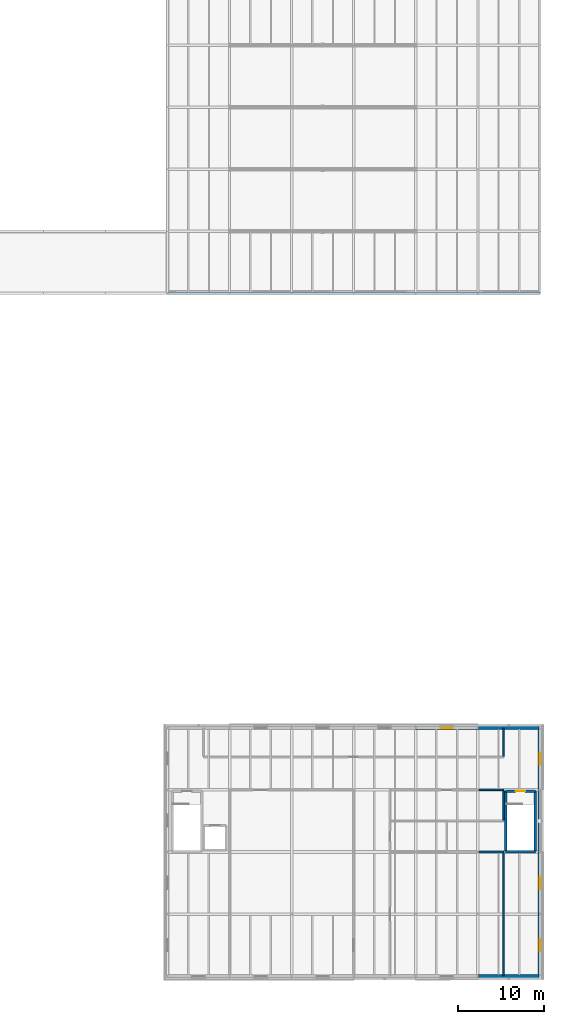
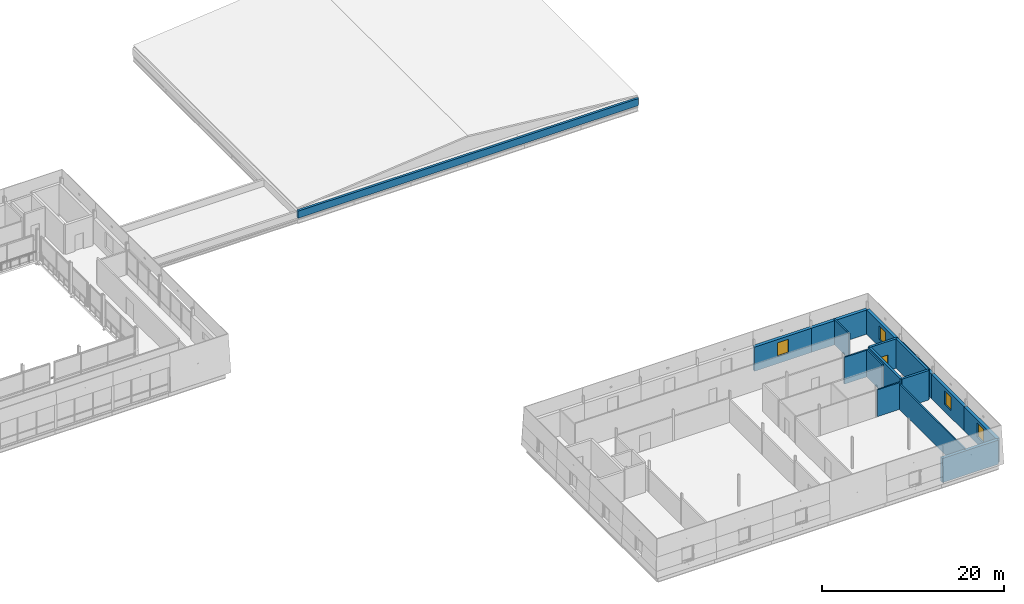
# One storey, part 66 of 91: 17 walls, 4 windows, 1 door, 5 openings.
"""IFC4 building model written with IfcOpenShell, lengths in metres."""

from ifc_helpers import new_model, si_unit, direction, frame, frame_2d, origin, place, context, subcontext, project, spatial, rectangle, extrude, material, layer, layer_set, type_object, element, fill, save


model = new_model("IFC4")

# Units and contexts
model_context = context("Model", 3, precision=1e-05, world=origin(), true_north=direction((0.0, 1.0)))
body_context = subcontext(model_context, "Body", "Model", "MODEL_VIEW")
ifc_project = project(units=[si_unit("LENGTHUNIT", "METRE"), si_unit("AREAUNIT", "SQUARE_METRE"), si_unit("VOLUMEUNIT", "CUBIC_METRE"), si_unit("PLANEANGLEUNIT", "RADIAN"), si_unit("MASSUNIT", "GRAM", prefix="KILO")], contexts=[model_context])

# Site, building, storey
site_placement = place(None, origin())
site = spatial("IfcSite", under=ifc_project, at=site_placement, CompositionType="ELEMENT")
building_placement = place(site_placement, origin())
building = spatial("IfcBuilding", under=site, at=building_placement, Name="Narikvali Park Central Library", CompositionType="ELEMENT")
storey_placement = place(building_placement, frame((0.0, 0.0, 14.39990234375)))
storey = spatial("IfcBuildingStorey", under=building, at=storey_placement, Name="L03", CompositionType="ELEMENT", Elevation=14.39990234375)

# Walls
ifc_material_1 = material(Name="White Honed Limestone over Concrete C35/45", Category="masonry")
ifc_layer_1 = layer(ifc_material_1, 0.300048828125, Name="White Honed Limestone over Concrete C35/45")
ifc_layer_set_1 = layer_set([ifc_layer_1], Name="White Honed Limestone over Concrete C35/45")
wall_type_1 = type_object("IfcWallType", Name="Limestone Coping Parapet Wall 300", PredefinedType="PARAPET", material=ifc_layer_set_1)
wall_1_placement = place(storey_placement, frame((122.39990234375, 79.199951171875, 0.0), z_axis=(0.0, 0.0, 1.0), x_axis=(1.0, 0.0, 0.0)))
element("IfcWall", 1, at=wall_1_placement, inside=storey, type_object=wall_type_1, Name="V3 L03 Roof Limestone Parapet S", PredefinedType="PARAPET", context=body_context, shape_type="SweptSolid", body=[
    extrude(rectangle(XDim=43.2001953125, YDim=0.300048828125, at=frame_2d((21.60009765625, 0.0))), origin(), (0.0, 0.0, 1.0), 0.9501953125),
])
ifc_material_2 = material(Name="Acoustic Gypsum on Steel Studs", Category="steel")
ifc_layer_2 = layer(ifc_material_2, 0.179931640625, Name="Acoustic Gypsum on Steel Studs")
ifc_layer_set_2 = layer_set([ifc_layer_2], Name="Acoustic Gypsum on Steel Studs")
wall_type_2 = type_object("IfcWallType", Name="Reading Room Acoustic Partition 180", PredefinedType="PARTITIONING", material=ifc_layer_set_2)
for number, where, z_axis, x_axis, name in (
    (2, (158.50390625, 14.39990234375, 0.0), (0.0, 0.0, 1.0), (1.0, 0.0, 0.0), "Park Overlook Seminar Room Partition N"),
    (3, (158.50390625, 21.60009765625, 0.0), (0.0, 0.0, 1.0), (1.0, 0.0, 0.0), "Upper Wing Reading Chair Store Partition N"),
):
    element("IfcWall", number, at=place(storey_placement, frame(where, z_axis=z_axis, x_axis=x_axis)), inside=storey, type_object=wall_type_2, Name=name, PredefinedType="PARTITIONING", context=body_context, shape_type="SweptSolid", body=[
        extrude(rectangle(XDim=2.89599609375, YDim=0.179931640625, at=frame_2d((1.447998046875, 0.0))), origin(), (0.0, 0.0, 1.0), 3.59521484375),
    ])
wall_2_placement = place(storey_placement, frame((161.39990234375, 0.054931640625, 0.0), z_axis=(0.0, 0.0, 1.0), x_axis=(0.0, 1.0, 0.0)))
element("IfcWall", 4, at=wall_2_placement, inside=storey, type_object=wall_type_2, Name="Park Overlook Seminar Room Partition E", PredefinedType="PARTITIONING", context=body_context, shape_type="SweptSolid", body=[
    extrude(rectangle(XDim=14.253173828125, YDim=0.179931640625, at=frame_2d((7.12646484375, 0.0))), origin(), (0.0, 0.0, 1.0), 3.39501953125),
])
wall_3_placement = place(storey_placement, frame((161.39990234375, 18.092041015625, 0.0), z_axis=(0.0, 0.0, 1.0), x_axis=(0.0, 1.0, 0.0)))
element("IfcWall", 5, at=wall_3_placement, inside=storey, type_object=wall_type_2, Name="Upper Wing Reading Chair Store Partition E", PredefinedType="PARTITIONING", context=body_context, shape_type="SweptSolid", body=[
    extrude(rectangle(XDim=3.416015625, YDim=0.179931640625, at=frame_2d((1.7080078125, 0.0))), origin(), (0.0, 0.0, 1.0), 3.695068359375),
])
ifc_material_3 = material(Name="Concrete C40/50", Category="concrete")
ifc_layer_3 = layer(ifc_material_3, 0.300048828125, Name="Concrete C40/50")
ifc_layer_set_3 = layer_set([ifc_layer_3], Name="Concrete C40/50")
wall_type_3 = type_object("IfcWallType", Name="Reinforced Concrete Shear Wall 300", PredefinedType="SHEAR", material=ifc_layer_set_3)
wall_4_placement = place(storey_placement, frame((161.6298828125, 14.429931640625, 0.0), z_axis=(0.0, 0.0, 1.0), x_axis=(1.0, 0.0, 0.0)))
element("IfcWall", 6, at=wall_4_placement, inside=storey, type_object=wall_type_3, Name="C6B L03 Stair Core Shear Wall S", PredefinedType="SHEAR", context=body_context, shape_type="SweptSolid", body=[
    extrude(rectangle(XDim=3.440185546875, YDim=0.300048828125, at=frame_2d((1.72021484375, 0.0))), origin(), (0.0, 0.0, 1.0), 3.960205078125),
])
wall_5_placement = place(storey_placement, frame((165.070068359375, 14.429931640625, 0.0), z_axis=(0.0, 0.0, 1.0), x_axis=(0.0, 1.0, 0.0)))
element("IfcWall", 7, at=wall_5_placement, inside=storey, type_object=wall_type_3, Name="C6B L03 Stair Core Shear Wall E", PredefinedType="SHEAR", context=body_context, shape_type="SweptSolid", body=[
    extrude(rectangle(XDim=7.0400390625, YDim=0.300048828125, at=frame_2d((3.52001953125, 0.0))), origin(), (0.0, 0.0, 1.0), 3.960205078125),
])

# Wall, opening, door
wall_6_placement = place(storey_placement, frame((165.070068359375, 21.469970703125, 0.0), z_axis=(0.0, 0.0, 1.0), x_axis=(-1.0, 0.0, 0.0)))
wall_6 = element("IfcWall", 8, at=wall_6_placement, inside=storey, type_object=wall_type_3, Name="C6B L03 Stair Core Shear Wall N", PredefinedType="SHEAR", context=body_context, shape_type="SweptSolid", body=[
    extrude(rectangle(XDim=3.440185546875, YDim=0.300048828125, at=frame_2d((1.72021484375, 0.0))), origin(), (0.0, 0.0, 1.0), 3.960205078125),
])
opening_1_placement = place(wall_6_placement, frame((1.169921875, 0.0, 0.0)))
opening_1 = element("IfcOpeningElement", 9, at=opening_1_placement, cuts=wall_6, Name="Opening SD-066", PredefinedType="OPENING", context=body_context, shape_type="SweptSolid", body=[
    extrude(rectangle(XDim=1.10009765625, YDim=2.14990234375, at=frame_2d((0.550048828125, 1.074951171875))), frame((0.0, 0.162109375, 0.0), z_axis=(0.0, -1.0, 0.0), x_axis=(1.0, 0.0, 0.0)), (0.0, 0.0, 1.0), 0.323974609375),
])
ifc_material_4 = material(Name="Powder-Coated Steel S275 Fire Leaf", Category="steel")
door_type = type_object("IfcDoorType", Name="Stair Core Smoke-Control Fire Door 1100x2150", OperationType="SINGLE_SWING_LEFT", PredefinedType="DOOR", material=ifc_material_4)
door_placement = place(opening_1_placement, frame((1.10009765625, 0.0, 0.0), z_axis=(0.0, 0.0, 1.0), x_axis=(-1.0, 0.0, 0.0)))
door = element("IfcDoor", 10, at=door_placement, inside=storey, type_object=door_type, Name="ST-12 L03 Stair Exit Door SD-066", OperationType="SINGLE_SWING_RIGHT", OverallHeight=2.14990234375, OverallWidth=1.10009765625, PredefinedType="DOOR", context=body_context, shape_type="SweptSolid", body=[
    extrude(rectangle(XDim=1.10009765625, YDim=2.14990234375, at=frame_2d((0.550048828125, 1.074951171875))), frame((0.0, 0.02490234375, 0.0), z_axis=(0.0, -1.0, 0.0), x_axis=(1.0, 0.0, 0.0)), (0.0, 0.0, 1.0), 0.050048828125),
])
fill(opening_1, door)

# Walls
wall_7_placement = place(storey_placement, frame((161.6298828125, 21.469970703125, 0.0), z_axis=(0.0, 0.0, 1.0), x_axis=(0.0, -1.0, 0.0)))
element("IfcWall", 11, at=wall_7_placement, inside=storey, type_object=wall_type_3, Name="C6B L03 Stair Core Shear Wall W", PredefinedType="SHEAR", context=body_context, shape_type="SweptSolid", body=[
    extrude(rectangle(XDim=7.0400390625, YDim=0.300048828125, at=frame_2d((3.52001953125, 0.0))), origin(), (0.0, 0.0, 1.0), 3.960205078125),
])
ifc_material_5 = material(Name="Gypsum Board on Galvanised Steel Studs", Category="steel")
ifc_layer_4 = layer(ifc_material_5, 0.159912109375, Name="Gypsum Board on Galvanised Steel Studs")
ifc_layer_set_4 = layer_set([ifc_layer_4], Name="Gypsum Board on Galvanised Steel Studs")
wall_type_4 = type_object("IfcWallType", Name="Study Room Partition Wall 160", PredefinedType="PARTITIONING", material=ifc_layer_set_4)
wall_8_placement = place(storey_placement, frame((161.39990234375, 25.48193359375, 0.0), z_axis=(0.0, 0.0, 1.0), x_axis=(0.0, 1.0, 0.0)))
element("IfcWall", 12, at=wall_8_placement, inside=storey, type_object=wall_type_4, Name="Cloister Overlook Quiet Study Room Partition E", PredefinedType="PARTITIONING", context=body_context, shape_type="SweptSolid", body=[
    extrude(rectangle(XDim=3.26318359375, YDim=0.159912109375, at=frame_2d((1.631591796875, 0.0))), origin(), (0.0, 0.0, 1.0), 3.39501953125),
])
ifc_layer_5 = layer(ifc_material_1, 0.39990234375, Name="White Honed Limestone over Concrete C35/45")
ifc_layer_set_5 = layer_set([ifc_layer_5], Name="White Honed Limestone over Concrete C35/45")
wall_type_5 = type_object("IfcWallType", Name="White Limestone Battered Tier3 Wall 400", PredefinedType="SOLIDWALL", material=ifc_layer_set_5)
wall_9_placement = place(storey_placement, frame((158.39990234375, 0.0, 0.0), z_axis=(0.0, 0.0, 1.0), x_axis=(1.0, 0.0, 0.0)))
element("IfcWall", 13, at=wall_9_placement, inside=storey, type_object=wall_type_5, Name="V6 L03 S Exterior Limestone Wall B06", PredefinedType="SOLIDWALL", context=body_context, shape_type="SweptSolid", body=[
    extrude(rectangle(XDim=7.09619140625, YDim=0.39990234375, at=frame_2d((3.548095703125, 0.0))), origin(), (0.0, 0.0, 1.0), 3.239990234375),
])

# Wall, opening, window
wall_10_placement = place(storey_placement, frame((165.60009765625, 0.10400390625, 0.0), z_axis=(0.0, 0.0, 1.0), x_axis=(0.0, 1.0, 0.0)))
wall_10 = element("IfcWall", 14, at=wall_10_placement, inside=storey, type_object=wall_type_5, Name="V6 L03 E Exterior Limestone Wall B01", PredefinedType="SOLIDWALL", context=body_context, shape_type="SweptSolid", body=[
    extrude(rectangle(XDim=7.095947265625, YDim=0.39990234375, at=frame_2d((3.5478515625, 0.0))), origin(), (0.0, 0.0, 1.0), 3.239990234375),
])
opening_2_placement = place(wall_10_placement, frame((2.7958984375, 0.0, 0.949951171875)))
opening_2 = element("IfcOpeningElement", 15, at=opening_2_placement, cuts=wall_10, Name="Opening WIN-0404", PredefinedType="OPENING", context=body_context, shape_type="SweptSolid", body=[
    extrude(rectangle(XDim=1.39990234375, YDim=1.85009765625, at=frame_2d((0.699951171875, 0.925048828125))), frame((0.0, 0.2119140625, 0.0), z_axis=(0.0, -1.0, 0.0), x_axis=(1.0, 0.0, 0.0)), (0.0, 0.0, 1.0), 0.423828125),
])
ifc_material_6 = material(Name="Anodised Bronze Aluminium and Low-E Triple Glazing", Category="aluminium")
window_type = type_object("IfcWindowType", Name="Service & Administration Casement Window 1400x1850", PartitioningType="DOUBLE_PANEL_VERTICAL", PredefinedType="WINDOW", material=ifc_material_6)
window_1_placement = place(opening_2_placement, origin())
window_1 = element("IfcWindow", 16, at=window_1_placement, inside=storey, type_object=window_type, Name="V6 L03 E Deep-Reveal Window WIN-0404", OverallHeight=1.85009765625, OverallWidth=1.39990234375, PartitioningType="SINGLE_PANEL", PredefinedType="WINDOW", context=body_context, shape_type="SweptSolid", body=[
    extrude(rectangle(XDim=1.39990234375, YDim=1.85009765625, at=frame_2d((0.699951171875, 0.925048828125))), frame((0.0, 0.030029296875, 0.0), z_axis=(0.0, -1.0, 0.0), x_axis=(1.0, 0.0, 0.0)), (0.0, 0.0, 1.0), 0.06005859375),
])
fill(opening_2, window_1)

wall_11_placement = place(storey_placement, frame((165.60009765625, 7.199951171875, 0.0), z_axis=(0.0, 0.0, 1.0), x_axis=(0.0, 1.0, 0.0)))
wall_11 = element("IfcWall", 17, at=wall_11_placement, inside=storey, type_object=wall_type_5, Name="V6 L03 E Exterior Limestone Wall B02", PredefinedType="SOLIDWALL", context=body_context, shape_type="SweptSolid", body=[
    extrude(rectangle(XDim=7.199951171875, YDim=0.39990234375, at=frame_2d((3.60009765625, 0.0))), origin(), (0.0, 0.0, 1.0), 3.239990234375),
])
opening_3_placement = place(wall_11_placement, frame((2.89990234375, 0.0, 0.949951171875)))
opening_3 = element("IfcOpeningElement", 18, at=opening_3_placement, cuts=wall_11, Name="Opening WIN-0405", PredefinedType="OPENING", context=body_context, shape_type="SweptSolid", body=[
    extrude(rectangle(XDim=1.39990234375, YDim=1.85009765625, at=frame_2d((0.699951171875, 0.925048828125))), frame((0.0, 0.2119140625, 0.0), z_axis=(0.0, -1.0, 0.0), x_axis=(1.0, 0.0, 0.0)), (0.0, 0.0, 1.0), 0.423828125),
])
window_2_placement = place(opening_3_placement, origin())
window_2 = element("IfcWindow", 19, at=window_2_placement, inside=storey, type_object=window_type, Name="V6 L03 E Deep-Reveal Window WIN-0405", OverallHeight=1.85009765625, OverallWidth=1.39990234375, PartitioningType="SINGLE_PANEL", PredefinedType="WINDOW", context=body_context, shape_type="SweptSolid", body=[
    extrude(rectangle(XDim=1.39990234375, YDim=1.85009765625, at=frame_2d((0.699951171875, 0.925048828125))), frame((0.0, 0.030029296875, 0.0), z_axis=(0.0, -1.0, 0.0), x_axis=(1.0, 0.0, 0.0)), (0.0, 0.0, 1.0), 0.06005859375),
])
fill(opening_3, window_2)

# Wall
wall_12_placement = place(storey_placement, frame((165.60009765625, 14.39990234375, 0.0), z_axis=(0.0, 0.0, 1.0), x_axis=(0.0, 1.0, 0.0)))
element("IfcWall", 20, at=wall_12_placement, inside=storey, type_object=wall_type_5, Name="V6 L03 E Exterior Limestone Wall B03", PredefinedType="SOLIDWALL", context=body_context, shape_type="SweptSolid", body=[
    extrude(rectangle(XDim=7.2001953125, YDim=0.39990234375, at=frame_2d((3.60009765625, 0.0))), origin(), (0.0, 0.0, 1.0), 3.239990234375),
])

# Wall, opening, window
wall_13_placement = place(storey_placement, frame((165.60009765625, 21.60009765625, 0.0), z_axis=(0.0, 0.0, 1.0), x_axis=(0.0, 1.0, 0.0)))
wall_13 = element("IfcWall", 21, at=wall_13_placement, inside=storey, type_object=wall_type_5, Name="V6 L03 E Exterior Limestone Wall B04", PredefinedType="SOLIDWALL", context=body_context, shape_type="SweptSolid", body=[
    extrude(rectangle(XDim=7.095947265625, YDim=0.39990234375, at=frame_2d((3.5478515625, 0.0))), origin(), (0.0, 0.0, 1.0), 3.239990234375),
])
opening_4_placement = place(wall_13_placement, frame((2.89990234375, 0.0, 0.949951171875)))
opening_4 = element("IfcOpeningElement", 22, at=opening_4_placement, cuts=wall_13, Name="Opening WIN-0406", PredefinedType="OPENING", context=body_context, shape_type="SweptSolid", body=[
    extrude(rectangle(XDim=1.39990234375, YDim=1.85009765625, at=frame_2d((0.699951171875, 0.925048828125))), frame((0.0, 0.2119140625, 0.0), z_axis=(0.0, -1.0, 0.0), x_axis=(1.0, 0.0, 0.0)), (0.0, 0.0, 1.0), 0.423828125),
])
window_3_placement = place(opening_4_placement, origin())
window_3 = element("IfcWindow", 23, at=window_3_placement, inside=storey, type_object=window_type, Name="V6 L03 E Deep-Reveal Window WIN-0406", OverallHeight=1.85009765625, OverallWidth=1.39990234375, PartitioningType="SINGLE_PANEL", PredefinedType="WINDOW", context=body_context, shape_type="SweptSolid", body=[
    extrude(rectangle(XDim=1.39990234375, YDim=1.85009765625, at=frame_2d((0.699951171875, 0.925048828125))), frame((0.0, 0.030029296875, 0.0), z_axis=(0.0, -1.0, 0.0), x_axis=(1.0, 0.0, 0.0)), (0.0, 0.0, 1.0), 0.06005859375),
])
fill(opening_4, window_3)

# Wall
wall_14_placement = place(storey_placement, frame((165.49609375, 28.800048828125, 0.0), z_axis=(0.0, 0.0, 1.0), x_axis=(-1.0, 0.0, 0.0)))
element("IfcWall", 24, at=wall_14_placement, inside=storey, type_object=wall_type_5, Name="V6 L03 N Exterior Limestone Wall B01", PredefinedType="SOLIDWALL", context=body_context, shape_type="SweptSolid", body=[
    extrude(rectangle(XDim=7.09619140625, YDim=0.39990234375, at=frame_2d((3.548095703125, 0.0))), origin(), (0.0, 0.0, 1.0), 3.239990234375),
])

# Wall, opening, window
wall_15_placement = place(storey_placement, frame((158.39990234375, 28.800048828125, 0.0), z_axis=(0.0, 0.0, 1.0), x_axis=(-1.0, 0.0, 0.0)))
wall_15 = element("IfcWall", 25, at=wall_15_placement, inside=storey, type_object=wall_type_5, Name="V6 L03 N Exterior Limestone Wall B02", PredefinedType="SOLIDWALL", context=body_context, shape_type="SweptSolid", body=[
    extrude(rectangle(XDim=7.199951171875, YDim=0.39990234375, at=frame_2d((3.60009765625, 0.0))), origin(), (0.0, 0.0, 1.0), 3.239990234375),
])
opening_5_placement = place(wall_15_placement, frame((2.89990234375, 0.0, 0.949951171875)))
opening_5 = element("IfcOpeningElement", 26, at=opening_5_placement, cuts=wall_15, Name="Opening WIN-0407", PredefinedType="OPENING", context=body_context, shape_type="SweptSolid", body=[
    extrude(rectangle(XDim=1.39990234375, YDim=1.85009765625, at=frame_2d((0.699951171875, 0.925048828125))), frame((0.0, 0.2119140625, 0.0), z_axis=(0.0, -1.0, 0.0), x_axis=(1.0, 0.0, 0.0)), (0.0, 0.0, 1.0), 0.423828125),
])
window_4_placement = place(opening_5_placement, origin())
window_4 = element("IfcWindow", 27, at=window_4_placement, inside=storey, type_object=window_type, Name="V6 L03 N Deep-Reveal Window WIN-0407", OverallHeight=1.85009765625, OverallWidth=1.39990234375, PartitioningType="SINGLE_PANEL", PredefinedType="WINDOW", context=body_context, shape_type="SweptSolid", body=[
    extrude(rectangle(XDim=1.39990234375, YDim=1.85009765625, at=frame_2d((0.699951171875, 0.925048828125))), frame((0.0, 0.030029296875, 0.0), z_axis=(0.0, -1.0, 0.0), x_axis=(1.0, 0.0, 0.0)), (0.0, 0.0, 1.0), 0.06005859375),
])
fill(opening_5, window_4)

save(model, "model.ifc")
